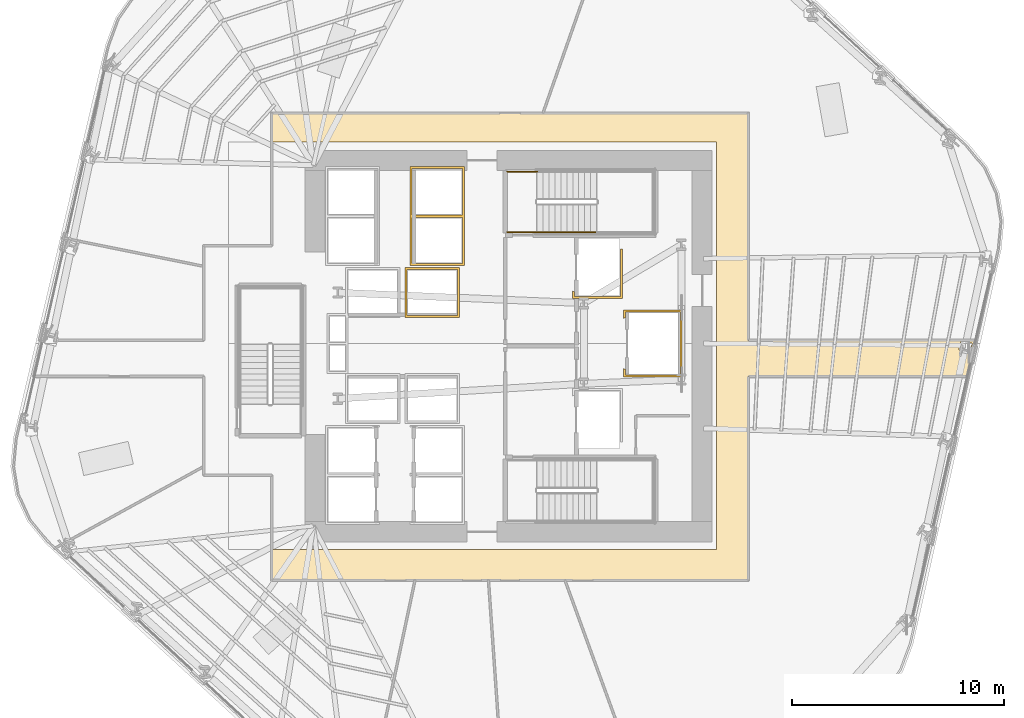
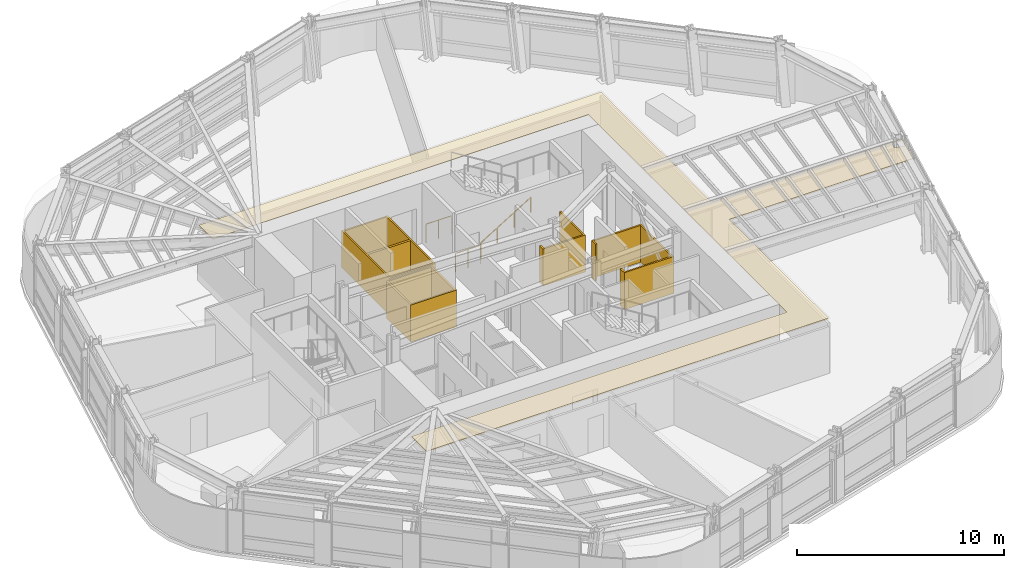
# One storey, part 13 of 16: 5 coverings, 3 railings.
"""IFC4 building model written with IfcOpenShell, lengths in metres."""

from ifc_helpers import new_model, si_unit, direction, frame, origin, origin_2d, place, context, subcontext, project, spatial, polyline, circle, outline, extrude, material, layer, layer_set, type_object, element, save


model = new_model("IFC4")

# Units and contexts
model_context = context("Model", 3, precision=1e-05, world=origin(), true_north=direction((0.0, 1.0)))
body_context = subcontext(model_context, "Body", "Model", "MODEL_VIEW")
ifc_project = project(units=[si_unit("LENGTHUNIT", "METRE"), si_unit("AREAUNIT", "SQUARE_METRE"), si_unit("VOLUMEUNIT", "CUBIC_METRE"), si_unit("PLANEANGLEUNIT", "RADIAN"), si_unit("MASSUNIT", "GRAM", prefix="KILO")], contexts=[model_context])

# Site, building, storey
site_placement = place(None, origin())
site = spatial("IfcSite", under=ifc_project, at=site_placement, CompositionType="ELEMENT")
building_placement = place(site_placement, origin())
building = spatial("IfcBuilding", under=site, at=building_placement, Name="Valkerne Bourse Tower", CompositionType="ELEMENT")
storey_placement = place(building_placement, frame((0.0, 0.0, 97.199951171875)))
storey = spatial("IfcBuildingStorey", under=building, at=storey_placement, Name="L24", CompositionType="ELEMENT", Elevation=97.199951171875)

# Coverings
ifc_material_1 = material(Name="Bronze Anodised Aluminium AA 6063-T6", Category="aluminium")
ifc_layer_1 = layer(ifc_material_1, 0.030029296875)
ifc_layer_set_1 = layer_set([ifc_layer_1], Name="Bronze Anodised Aluminium AA 6063-T6")
covering_type_1 = type_object("IfcCoveringType", Name="COV-CEIL-METAL", PredefinedType="CEILING", material=ifc_layer_set_1)
covering_1_placement = place(storey_placement, frame((0.0, 0.0, 3.22998046875)))
element("IfcCovering", 1, at=covering_1_placement, inside=storey, type_object=covering_type_1, Name="L24 Suspended Ceiling 01", PredefinedType="CEILING", context=body_context, shape_type="SweptSolid", body=[
    extrude(outline(polyline([(68.777587890625, 27.14599609375), (68.3994140625, 25.4541015625), (58.095947265625, 25.4541015625), (58.095947265625, 15.85400390625), (35.654052734375, 15.85400390625), (35.654052734375, 17.300048828125), (56.60009765625, 17.300048828125), (56.60009765625, 36.5), (35.654052734375, 36.5), (35.654052734375, 37.845947265625), (58.095947265625, 37.845947265625), (58.095947265625, 27.14599609375), (68.777587890625, 27.14599609375)]), holes=[polyline([(68.65234375, 27.0068359375), (68.65234375, 27.010009765625), (68.128662109375, 27.13623046875), (68.022705078125, 26.70068359375), (68.022705078125, 26.697509765625), (68.54638671875, 26.5712890625), (68.65234375, 27.0068359375)])]), origin(), (0.0, 0.0, 1.0), 0.025146484375),
])
ifc_material_2 = material(Name="Gypsum Shaftwall Liner Board", Category="gypsum")
ifc_layer_2 = layer(ifc_material_2, 0.080078125)
ifc_layer_set_2 = layer_set([ifc_layer_2], Name="Gypsum Shaftwall Liner Board")
covering_type_2 = type_object("IfcCoveringType", Name="COV-SHF-CLAD", PredefinedType="CLADDING", material=ifc_layer_set_2)
covering_2_placement = place(storey_placement, origin())
element("IfcCovering", 2, at=covering_2_placement, inside=storey, type_object=covering_type_2, Name="L24 Hoistway & Riser Shaftwall Liner 08", PredefinedType="CLADDING", context=body_context, shape_type="SweptSolid", body=[
    extrude(outline(polyline([(54.97998046875, 25.419921875), (52.219970703125, 25.419921875), (52.219970703125, 25.81787109375), (52.227783203125, 25.814208984375), (52.269287109375, 25.79931640625), (52.31005859375, 25.789306640625), (52.31005859375, 25.510009765625), (54.889892578125, 25.510009765625), (54.889892578125, 28.489990234375), (52.31005859375, 28.489990234375), (52.31005859375, 28.210693359375), (52.269287109375, 28.20068359375), (52.227783203125, 28.185791015625), (52.219970703125, 28.18212890625), (52.219970703125, 28.580078125), (54.97998046875, 28.580078125), (54.97998046875, 25.419921875)])), origin(), (0.0, 0.0, 1.0), 2.179931640625),
])
covering_3_placement = place(storey_placement, origin())
element("IfcCovering", 3, at=covering_3_placement, inside=storey, type_object=covering_type_2, Name="L24 Hoistway & Riser Shaftwall Liner 09", PredefinedType="CLADDING", context=body_context, shape_type="SweptSolid", body=[
    extrude(outline(polyline([(44.47998046875, 28.219970703125), (41.919921875, 28.219970703125), (41.919921875, 30.580078125), (44.47998046875, 30.580078125), (44.47998046875, 28.219970703125)]), holes=[polyline([(42.010009765625, 30.489990234375), (42.010009765625, 28.31005859375), (44.389892578125, 28.31005859375), (44.389892578125, 30.489990234375), (42.010009765625, 30.489990234375)])]), origin(), (0.0, 0.0, 1.0), 2.179931640625),
])
covering_4_placement = place(storey_placement, origin())
element("IfcCovering", 4, at=covering_4_placement, inside=storey, type_object=covering_type_2, Name="L24 Hoistway & Riser Shaftwall Liner 10", PredefinedType="CLADDING", context=body_context, shape_type="SweptSolid", body=[
    extrude(outline(polyline([(49.820068359375, 29.1201171875), (49.820068359375, 29.468017578125), (49.827880859375, 29.46435546875), (49.869384765625, 29.449462890625), (49.909912109375, 29.439208984375), (49.909912109375, 29.2099609375), (52.090087890625, 29.2099609375), (52.090087890625, 31.449951171875), (52.179931640625, 31.449951171875), (52.179931640625, 29.1201171875), (49.820068359375, 29.1201171875)])), origin(), (0.0, 0.0, 1.0), 2.179931640625),
])
covering_5_placement = place(storey_placement, origin())
element("IfcCovering", 5, at=covering_5_placement, inside=storey, type_object=covering_type_2, Name="L24 Hoistway & Riser Shaftwall Liner 11", PredefinedType="CLADDING", context=body_context, shape_type="SweptSolid", body=[
    extrude(outline(polyline([(44.72998046875, 35.330078125), (44.72998046875, 33.030029296875), (44.72998046875, 32.969970703125), (44.72998046875, 30.669921875), (42.169921875, 30.669921875), (42.169921875, 32.969970703125), (42.169921875, 33.030029296875), (42.169921875, 35.330078125), (44.72998046875, 35.330078125)]), holes=[polyline([(42.260009765625, 30.760009765625), (44.639892578125, 30.760009765625), (44.639892578125, 32.93994140625), (42.260009765625, 32.93994140625), (42.260009765625, 30.760009765625)]), polyline([(42.260009765625, 33.06005859375), (44.639892578125, 33.06005859375), (44.639892578125, 35.239990234375), (42.260009765625, 35.239990234375), (42.260009765625, 33.06005859375)])]), origin(), (0.0, 0.0, 1.0), 2.179931640625),
])

# Railings
ifc_material_3 = material(Name="Galvanised Painted Steel", Category="steel")
railing_type_1 = type_object("IfcRailingType", Name="RLG-ST-GUARD-1120", PredefinedType="GUARDRAIL", material=ifc_material_3)
for number, where, name in (
    (6, (46.75, 32.25, 0.0), "L24 ST-2 stair guard 8"),
    (7, (46.75, 35.10009765625, 0.0), "L24 ST-2 stair guard 9"),
):
    element("IfcRailing", number, at=place(storey_placement, frame(where)), inside=storey, type_object=railing_type_1, Name=name, PredefinedType="GUARDRAIL", context=body_context, shape_type="SweptSolid", body=[
        extrude(circle(Radius=0.02392578125, at=origin_2d()), frame((0.0, 0.0, 1.09619140625), z_axis=(1.0, 0.0, 0.0), x_axis=(0.0, 1.0, 0.0)), (0.0, 0.0, 1.0), 1.39990234375),
        extrude(circle(Radius=0.02099609375, at=origin_2d()), origin(), (0.0, 0.0, 1.0), 1.072021484375),
        extrude(circle(Radius=0.02099609375, at=origin_2d()), frame((0.699951171875, 0.0, 0.0)), (0.0, 0.0, 1.0), 1.072021484375),
        extrude(circle(Radius=0.02099609375, at=origin_2d()), frame((1.39990234375, 0.0, 0.0)), (0.0, 0.0, 1.0), 1.072021484375),
    ])
ifc_material_4 = material(Name="Stainless Steel AISI 316", Category="steel")
railing_type_2 = type_object("IfcRailingType", Name="RLG-ST-HANDRAIL-900", PredefinedType="HANDRAIL", material=ifc_material_4)
railing_placement = place(storey_placement, frame((48.14990234375, 32.25, 0.345458984375)))
element("IfcRailing", 8, at=railing_placement, inside=storey, type_object=railing_type_2, Name="L24 ST-2 stair handrail 1", PredefinedType="HANDRAIL", context=body_context, shape_type="SweptSolid", body=[
    extrude(circle(Radius=0.02392578125, at=origin_2d()), frame((0.0, 0.0, 0.8759765625), z_axis=(0.851089632645, 0.0, 0.525020415988), x_axis=(0.0, 1.0, 0.0)), (0.0, 0.0, 1.0), 3.2900390625),
    extrude(circle(Radius=0.02099609375, at=origin_2d()), origin(), (0.0, 0.0, 1.0), 0.851806640625),
    extrude(circle(Radius=0.02099609375, at=origin_2d()), frame((0.933349609375, 0.0, 0.57568359375)), (0.0, 0.0, 1.0), 0.851806640625),
    extrude(circle(Radius=0.02099609375, at=origin_2d()), frame((1.86669921875, 0.0, 1.151611328125)), (0.0, 0.0, 1.0), 0.851806640625),
    extrude(circle(Radius=0.02099609375, at=origin_2d()), frame((2.800048828125, 0.0, 1.727294921875)), (0.0, 0.0, 1.0), 0.851806640625),
])

save(model, "model.ifc")
